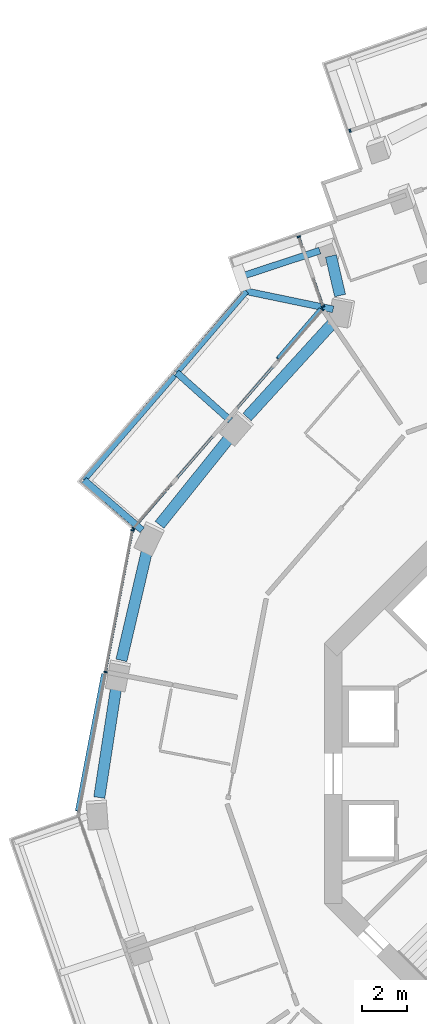
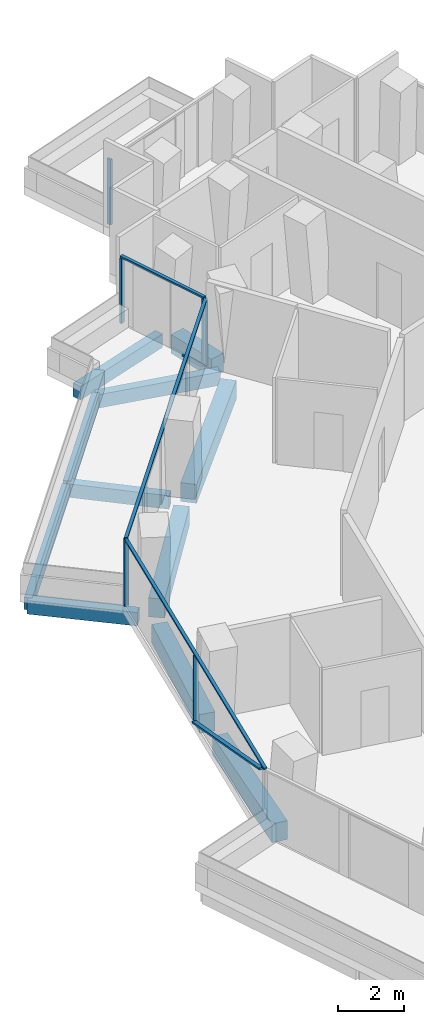
# One storey, part 7 of 23: 12 members, 11 beams, 4 elements without a shape of their own.
"""IFC4 building model written with IfcOpenShell, lengths in metres."""

from ifc_helpers import new_model, si_unit, direction, frame, origin, origin_2d, place, context, subcontext, project, spatial, rectangle, extrude, material, layer, layer_set, material_profile, profile_set, type_object, element, aggregate, save


model = new_model("IFC4")

# Units and contexts
model_context = context("Model", 3, precision=1e-05, world=origin(), true_north=direction((0.0, 1.0)))
body_context = subcontext(model_context, "Body", "Model", "MODEL_VIEW")
ifc_project = project(units=[si_unit("LENGTHUNIT", "METRE"), si_unit("AREAUNIT", "SQUARE_METRE"), si_unit("VOLUMEUNIT", "CUBIC_METRE"), si_unit("PLANEANGLEUNIT", "RADIAN"), si_unit("MASSUNIT", "GRAM", prefix="KILO")], contexts=[model_context])

# Site, building, storey
site_placement = place(None, origin())
site = spatial("IfcSite", under=ifc_project, at=site_placement, CompositionType="ELEMENT")
building_placement = place(site_placement, origin())
building = spatial("IfcBuilding", under=site, at=building_placement, Name="Verdalira Terraces Hotel", CompositionType="ELEMENT")
storey_placement = place(building_placement, frame((0.0, 0.0, 111.5)))
storey = spatial("IfcBuildingStorey", under=building, at=storey_placement, Name="L26", CompositionType="ELEMENT", Elevation=111.5)

# Beams
ifc_material_1 = material(Name="Concrete C40", Category="concrete")
ifc_material_profile_1 = material_profile(ifc_material_1, rectangle(XDim=0.300049, YDim=0.5, at=origin_2d()), Name="RC 300X500")
ifc_profile_set_1 = profile_set([ifc_material_profile_1], Name="Concrete C40")
beam_type_1 = type_object("IfcBeamType", Name="Balcony cantilever beam RC 300X500 C40", PredefinedType="BEAM", material=ifc_profile_set_1)
beam_1_placement = place(storey_placement, frame((-13.602783, 20.700684, -0.560059), z_axis=(-0.979017426, 0.203776544, 0.0), x_axis=(-0.203776544, -0.979017426, 0.0)))
element("IfcBeam", 1, at=beam_1_placement, inside=storey, type_object=beam_type_1, Name="Balcony cantilever beam R10-1", PredefinedType="BEAM", context=body_context, shape_type="SweptSolid", body=[
    extrude(rectangle(XDim=0.300049, YDim=0.5, at=origin_2d()), origin(), (0.0, 0.0, 1.0), 3.949951),
])
beam_2_placement = place(storey_placement, frame((-18.189209, 15.746338, -0.560059), z_axis=(-0.74590924, 0.6660476, 0.0), x_axis=(-0.6660476, -0.74590924, 0.0)))
element("IfcBeam", 2, at=beam_2_placement, inside=storey, type_object=beam_type_1, Name="Balcony cantilever beam R10-2", PredefinedType="BEAM", context=body_context, shape_type="SweptSolid", body=[
    extrude(rectangle(XDim=0.300049, YDim=0.5, at=origin_2d()), origin(), (0.0, 0.0, 1.0), 3.200684),
])
beam_3_placement = place(storey_placement, frame((-22.119873, 10.857422, -0.560059), z_axis=(-0.756973898, 0.653445115, 0.0), x_axis=(-0.653445115, -0.756973898, 0.0)))
element("IfcBeam", 3, at=beam_3_placement, inside=storey, type_object=beam_type_1, Name="Balcony cantilever beam R10-3", PredefinedType="BEAM", context=body_context, shape_type="SweptSolid", body=[
    extrude(rectangle(XDim=0.300049, YDim=0.5, at=origin_2d()), origin(), (0.0, 0.0, 1.0), 3.419434),
])
beam_4_placement = place(storey_placement, frame((-14.19751, 23.320801, -0.560059), z_axis=(-0.949761426, -0.312974813, 0.0), x_axis=(0.312974813, -0.949761426, 0.0)))
element("IfcBeam", 4, at=beam_4_placement, inside=storey, type_object=beam_type_1, Name="Balcony cantilever beam R10-4", PredefinedType="BEAM", context=body_context, shape_type="SweptSolid", body=[
    extrude(rectangle(XDim=0.300049, YDim=0.5, at=origin_2d()), origin(), (0.0, 0.0, 1.0), 3.762207),
])
ifc_material_2 = material(Name="Concrete C40", Category="concrete")
ifc_material_profile_2 = material_profile(ifc_material_2, rectangle(XDim=0.25, YDim=0.449951, at=origin_2d()), Name="RC 250X450")
ifc_profile_set_2 = profile_set([ifc_material_profile_2], Name="Concrete C40")
beam_type_2 = type_object("IfcBeamType", Name="Balcony edge beam RC 250X450 C40", PredefinedType="BEAM", material=ifc_profile_set_2)
beam_5_placement = place(storey_placement, frame((-17.469971, 21.505615, -0.534912), z_axis=(-0.650484007, -0.759519951, 0.0), x_axis=(0.759519951, -0.650484007, 0.0)))
element("IfcBeam", 5, at=beam_5_placement, inside=storey, type_object=beam_type_2, Name="Balcony edge beam R10-1", PredefinedType="BEAM", context=body_context, shape_type="SweptSolid", body=[
    extrude(rectangle(XDim=0.25, YDim=0.449951, at=origin_2d()), origin(), (0.0, 0.0, 1.0), 4.775879),
])
beam_6_placement = place(storey_placement, frame((-20.674805, 17.764404, -0.534912), z_axis=(-0.653435525, -0.756982176, 0.0), x_axis=(0.756982176, -0.653435525, 0.0)))
element("IfcBeam", 6, at=beam_6_placement, inside=storey, type_object=beam_type_2, Name="Balcony edge beam R10-2", PredefinedType="BEAM", context=body_context, shape_type="SweptSolid", body=[
    extrude(rectangle(XDim=0.25, YDim=0.449951, at=origin_2d()), origin(), (0.0, 0.0, 1.0), 6.172607),
])

# Curtain wall, members
ifc_material_3 = material(Name="Clear glass", Category="glass")
ifc_layer_1 = layer(ifc_material_3, 0.14990234375)
ifc_layer_set_1 = layer_set([ifc_layer_1], Name="CW1 curtain wall")
curtain_wall_type_1 = type_object("IfcCurtainWallType", Name="CW1 curtain wall", PredefinedType="NOTDEFINED", material=ifc_layer_set_1)
curtain_wall_1_placement = place(storey_placement, origin())
curtain_wall_1 = element("IfcCurtainWall", 7, at=curtain_wall_1_placement, inside=storey, type_object=curtain_wall_type_1, Name="CW1 curtain wall L26 edge 11", PredefinedType="NOTDEFINED")
ifc_material_4 = material(Name="Terracotta frame", Category="masonry")
ifc_material_profile_3 = material_profile(ifc_material_4, rectangle(XDim=0.060059, YDim=0.149902, at=origin_2d()), Name="MU 60x150")
ifc_profile_set_3 = profile_set([ifc_material_profile_3], Name="Terracotta frame")
member_type_1 = type_object("IfcMemberType", Name="CW1 mullion 60x150", PredefinedType="MULLION", material=ifc_profile_set_3)
member_1_placement = place(storey_placement, frame((-14.079102, 20.699707, 0.0), z_axis=(0.0, 0.0, 1.0), x_axis=(-0.653420604, -0.756995056, 0.0)))
member_1 = element("IfcMember", 8, at=member_1_placement, type_object=member_type_1, Name="CW1 mullion", PredefinedType="MULLION", context=body_context, shape_type="SweptSolid", body=[
    extrude(rectangle(XDim=0.060059, YDim=0.149902, at=origin_2d()), origin(), (0.0, 0.0, 1.0), 2.425049),
])
member_2_placement = place(storey_placement, frame((-22.508057, 10.93457, 0.0), z_axis=(0.0, 0.0, 1.0), x_axis=(-0.653420604, -0.756995056, 0.0)))
member_2 = element("IfcMember", 9, at=member_2_placement, type_object=member_type_1, Name="CW1 mullion", PredefinedType="MULLION", context=body_context, shape_type="SweptSolid", body=[
    extrude(rectangle(XDim=0.060059, YDim=0.149902, at=origin_2d()), origin(), (0.0, 0.0, 1.0), 2.425049),
])

curtain_wall_2_placement = place(storey_placement, origin())
curtain_wall_2 = element("IfcCurtainWall", 10, at=curtain_wall_2_placement, inside=storey, type_object=curtain_wall_type_1, Name="CW1 curtain wall L26 edge 12", PredefinedType="NOTDEFINED")
member_3_placement = place(storey_placement, frame((-22.550049, 10.847412, 0.0), z_axis=(0.0, 0.0, 1.0), x_axis=(-0.187381315, -0.982287251, 0.0)))
member_3 = element("IfcMember", 11, at=member_3_placement, type_object=member_type_1, Name="CW1 mullion", PredefinedType="MULLION", context=body_context, shape_type="SweptSolid", body=[
    extrude(rectangle(XDim=0.060059, YDim=0.149902, at=origin_2d()), origin(), (0.0, 0.0, 1.0), 2.425049),
])
member_4_placement = place(storey_placement, frame((-23.754883, 4.531494, 0.0), z_axis=(0.0, 0.0, 1.0), x_axis=(-0.187381315, -0.982287251, 0.0)))
member_4 = element("IfcMember", 12, at=member_4_placement, type_object=member_type_1, Name="CW1 mullion", PredefinedType="MULLION", context=body_context, shape_type="SweptSolid", body=[
    extrude(rectangle(XDim=0.060059, YDim=0.149902, at=origin_2d()), origin(), (0.0, 0.0, 1.0), 2.425049),
])

# Member
ifc_material_5 = material(Name="Terracotta frame", Category="masonry")
ifc_material_profile_4 = material_profile(ifc_material_5, rectangle(XDim=0.110107, YDim=0.064941, at=origin_2d()), Name="TR 65x110")
ifc_profile_set_4 = profile_set([ifc_material_profile_4], Name="Terracotta frame")
member_type_2 = type_object("IfcMemberType", Name="CW1 transom 65x110", PredefinedType="USERDEFINED", material=ifc_profile_set_4)
member_5_placement = place(storey_placement, frame((-14.059326, 20.722412, 2.45752), z_axis=(-0.653421701, -0.756994108, 0.0), x_axis=(0.756994108, -0.653421701, 0.0)))
member_5 = element("IfcMember", 13, at=member_5_placement, type_object=member_type_2, Name="CW1 transom", ObjectType="TRANSOM", PredefinedType="USERDEFINED", context=body_context, shape_type="SweptSolid", body=[
    extrude(rectangle(XDim=0.110107, YDim=0.064941, at=origin_2d()), origin(), (0.0, 0.0, 1.0), 12.959961),
])

member_6_placement = place(storey_placement, frame((-22.544434, 10.876953, 2.45752), z_axis=(-0.187379549, -0.982287588, 0.0), x_axis=(0.982287588, -0.187379549, 0.0)))
member_6 = element("IfcMember", 14, at=member_6_placement, type_object=member_type_2, Name="CW1 transom", ObjectType="TRANSOM", PredefinedType="USERDEFINED", context=body_context, shape_type="SweptSolid", body=[
    extrude(rectangle(XDim=0.110107, YDim=0.064941, at=origin_2d()), origin(), (0.0, 0.0, 1.0), 12.919678),
])

# Curtain wall, members
ifc_material_6 = material(Name="Clear glass", Category="glass")
ifc_layer_2 = layer(ifc_material_6, 0.14990234375)
ifc_layer_set_2 = layer_set([ifc_layer_2], Name="CW2 curtain wall")
curtain_wall_type_2 = type_object("IfcCurtainWallType", Name="CW2 curtain wall", PredefinedType="NOTDEFINED", material=ifc_layer_set_2)
curtain_wall_3_placement = place(storey_placement, origin())
curtain_wall_3 = element("IfcCurtainWall", 15, at=curtain_wall_3_placement, inside=storey, type_object=curtain_wall_type_2, Name="CW2 curtain wall L26 edge 10", PredefinedType="NOTDEFINED")
ifc_material_7 = material(Name="Terracotta frame", Category="masonry")
ifc_material_profile_5 = material_profile(ifc_material_7, rectangle(XDim=0.070068, YDim=0.149902, at=origin_2d()), Name="MU 70x150")
ifc_profile_set_5 = profile_set([ifc_material_profile_5], Name="Terracotta frame")
member_type_3 = type_object("IfcMemberType", Name="CW2 mullion 70x150", PredefinedType="MULLION", material=ifc_profile_set_5)
member_7_placement = place(storey_placement, frame((-15.139893, 23.938965, 0.0), z_axis=(0.0, 0.0, 1.0), x_axis=(0.328866647, -0.94437637, 0.0)))
member_7 = element("IfcMember", 16, at=member_7_placement, type_object=member_type_3, Name="CW2 mullion", PredefinedType="MULLION", context=body_context, shape_type="SweptSolid", body=[
    extrude(rectangle(XDim=0.070068, YDim=0.149902, at=origin_2d()), origin(), (0.0, 0.0, 1.0), 2.425049),
])
member_8_placement = place(storey_placement, frame((-14.056885, 20.829102, 0.0), z_axis=(0.0, 0.0, 1.0), x_axis=(0.328866647, -0.94437637, 0.0)))
member_8 = element("IfcMember", 17, at=member_8_placement, type_object=member_type_3, Name="CW2 mullion", PredefinedType="MULLION", context=body_context, shape_type="SweptSolid", body=[
    extrude(rectangle(XDim=0.070068, YDim=0.149902, at=origin_2d()), origin(), (0.0, 0.0, 1.0), 2.425049),
])
ifc_material_8 = material(Name="Terracotta frame", Category="masonry")
ifc_material_profile_6 = material_profile(ifc_material_8, rectangle(XDim=0.11499, YDim=0.064941, at=origin_2d()), Name="TR 65x115")
ifc_profile_set_6 = profile_set([ifc_material_profile_6], Name="Terracotta frame")
member_type_4 = type_object("IfcMemberType", Name="CW2 transom 65x115", PredefinedType="USERDEFINED", material=ifc_profile_set_6)
member_9_placement = place(storey_placement, frame((-15.151367, 23.971924, 2.45752), z_axis=(0.328875396, -0.944373323, 0.0), x_axis=(0.944373323, 0.328875396, 0.0)))
member_9 = element("IfcMember", 18, at=member_9_placement, type_object=member_type_4, Name="CW2 transom", ObjectType="TRANSOM", PredefinedType="USERDEFINED", context=body_context, shape_type="SweptSolid", body=[
    extrude(rectangle(XDim=0.11499, YDim=0.064941, at=origin_2d()), origin(), (0.0, 0.0, 1.0), 3.362793),
])
aggregate(curtain_wall_3, [member_7, member_8, member_9])

# Curtain wall, member
ifc_material_9 = material(Name="Clear glass", Category="glass")
ifc_layer_3 = layer(ifc_material_9, 0.14990234375)
ifc_layer_set_3 = layer_set([ifc_layer_3], Name="CW3 curtain wall")
curtain_wall_type_3 = type_object("IfcCurtainWallType", Name="CW3 curtain wall", PredefinedType="NOTDEFINED", material=ifc_layer_set_3)
curtain_wall_4_placement = place(storey_placement, origin())
curtain_wall_4 = element("IfcCurtainWall", 19, at=curtain_wall_4_placement, inside=storey, type_object=curtain_wall_type_3, Name="CW3 curtain wall L26 edge 5", PredefinedType="NOTDEFINED")
ifc_material_10 = material(Name="Terracotta frame", Category="masonry")
ifc_material_profile_7 = material_profile(ifc_material_10, rectangle(XDim=0.080078, YDim=0.149902, at=origin_2d()), Name="MU 80x150")
ifc_profile_set_7 = profile_set([ifc_material_profile_7], Name="Terracotta frame")
member_type_5 = type_object("IfcMemberType", Name="CW3 mullion 80x150", PredefinedType="MULLION", material=ifc_profile_set_7)
member_10_placement = place(storey_placement, frame((-12.851562, 28.664307, 0.0), z_axis=(0.0, 0.0, 1.0), x_axis=(-0.94437637, -0.328866647, 0.0)))
member_10 = element("IfcMember", 20, at=member_10_placement, type_object=member_type_5, Name="CW3 mullion", PredefinedType="MULLION", context=body_context, shape_type="SweptSolid", body=[
    extrude(rectangle(XDim=0.080078, YDim=0.149902, at=origin_2d()), origin(), (0.0, 0.0, 1.0), 2.425049),
])
aggregate(curtain_wall_4, [member_10])

# Member
ifc_material_11 = material(Name="Terracotta frame", Category="masonry")
ifc_material_profile_8 = material_profile(ifc_material_11, rectangle(XDim=0.149902, YDim=0.060059, at=origin_2d()), Name="GB 60x150")
ifc_profile_set_8 = profile_set([ifc_material_profile_8], Name="Terracotta frame")
member_type_6 = type_object("IfcMemberType", Name="Diagonal glazing bar 60x150", PredefinedType="USERDEFINED", material=ifc_profile_set_8)
member_11_placement = place(storey_placement, frame((-14.185547, 20.712402, 0.024414), z_axis=(-0.505781048, -0.585990441, 0.633088252), x_axis=(0.757015716, -0.653396668, 0.0)))
member_11 = element("IfcMember", 21, at=member_11_placement, type_object=member_type_6, Name="Diagonal glazing bar", ObjectType="GLAZING BAR", PredefinedType="USERDEFINED", context=body_context, shape_type="SweptSolid", body=[
    extrude(rectangle(XDim=0.149902, YDim=0.060059, at=origin_2d()), origin(), (0.0, 0.0, 1.0), 3.75293),
])

aggregate(curtain_wall_1, [member_1, member_2, member_5, member_11])

member_12_placement = place(storey_placement, frame((-23.862061, 4.44458, 0.028809), z_axis=(-0.175120441, -0.918015621, 0.355781043), x_axis=(0.98228733, -0.187380897, 0.0)))
member_12 = element("IfcMember", 22, at=member_12_placement, type_object=member_type_6, Name="Diagonal glazing bar", ObjectType="GLAZING BAR", PredefinedType="USERDEFINED", context=body_context, shape_type="SweptSolid", body=[
    extrude(rectangle(XDim=0.149902, YDim=0.060059, at=origin_2d()), origin(), (0.0, 0.0, 1.0), 6.654297),
])

aggregate(curtain_wall_2, [member_3, member_4, member_6, member_12])

# Beams
ifc_material_12 = material(Name="Concrete C70", Category="concrete")
ifc_material_profile_9 = material_profile(ifc_material_12, rectangle(XDim=0.5, YDim=0.699951, at=origin_2d()), Name="RC 500X700")
ifc_profile_set_9 = profile_set([ifc_material_profile_9], Name="Concrete C70")
beam_type_3 = type_object("IfcBeamType", Name="Spandrel beam RC 500X700 C70", PredefinedType="SPANDREL", material=ifc_profile_set_9)
beam_7_placement = place(storey_placement, frame((-13.702881, 23.081543, -0.659912), z_axis=(0.225164938, -0.974320661, 0.0), x_axis=(0.974320661, 0.225164938, 0.0)))
element("IfcBeam", 23, at=beam_7_placement, inside=storey, type_object=beam_type_3, Name="Spandrel beam B03", PredefinedType="SPANDREL", context=body_context, shape_type="SweptSolid", body=[
    extrude(rectangle(XDim=0.5, YDim=0.699951, at=origin_2d()), origin(), (0.0, 0.0, 1.0), 1.80957),
])
beam_8_placement = place(storey_placement, frame((-13.622803, 20.09082, -0.659912), z_axis=(-0.673501494, -0.739185861, 0.0), x_axis=(0.739185861, -0.673501494, 0.0)))
element("IfcBeam", 24, at=beam_8_placement, inside=storey, type_object=beam_type_3, Name="Spandrel beam B04", PredefinedType="SPANDREL", context=body_context, shape_type="SweptSolid", body=[
    extrude(rectangle(XDim=0.5, YDim=0.699951, at=origin_2d()), origin(), (0.0, 0.0, 1.0), 5.671875),
])
beam_9_placement = place(storey_placement, frame((-18.207275, 15.003418, -0.659912), z_axis=(-0.625864555, -0.779931765, 0.0), x_axis=(0.779931765, -0.625864555, 0.0)))
element("IfcBeam", 25, at=beam_9_placement, inside=storey, type_object=beam_type_3, Name="Spandrel beam B05", PredefinedType="SPANDREL", context=body_context, shape_type="SweptSolid", body=[
    extrude(rectangle(XDim=0.5, YDim=0.699951, at=origin_2d()), origin(), (0.0, 0.0, 1.0), 5.012207),
])
beam_10_placement = place(storey_placement, frame((-21.906006, 9.935303, -0.659912), z_axis=(-0.227226538, -0.973841928, 0.0), x_axis=(0.973841928, -0.227226538, 0.0)))
element("IfcBeam", 26, at=beam_10_placement, inside=storey, type_object=beam_type_3, Name="Spandrel beam B06", PredefinedType="SPANDREL", context=body_context, shape_type="SweptSolid", body=[
    extrude(rectangle(XDim=0.5, YDim=0.699951, at=origin_2d()), origin(), (0.0, 0.0, 1.0), 5.015381),
])
beam_11_placement = place(storey_placement, frame((-23.269775, 3.889648, -0.659912), z_axis=(-0.152024241, -0.988376765, 0.0), x_axis=(0.988376765, -0.152024241, 0.0)))
element("IfcBeam", 27, at=beam_11_placement, inside=storey, type_object=beam_type_3, Name="Spandrel beam B07", PredefinedType="SPANDREL", context=body_context, shape_type="SweptSolid", body=[
    extrude(rectangle(XDim=0.5, YDim=0.699951, at=origin_2d()), origin(), (0.0, 0.0, 1.0), 5.012207),
])

save(model, "model.ifc")
